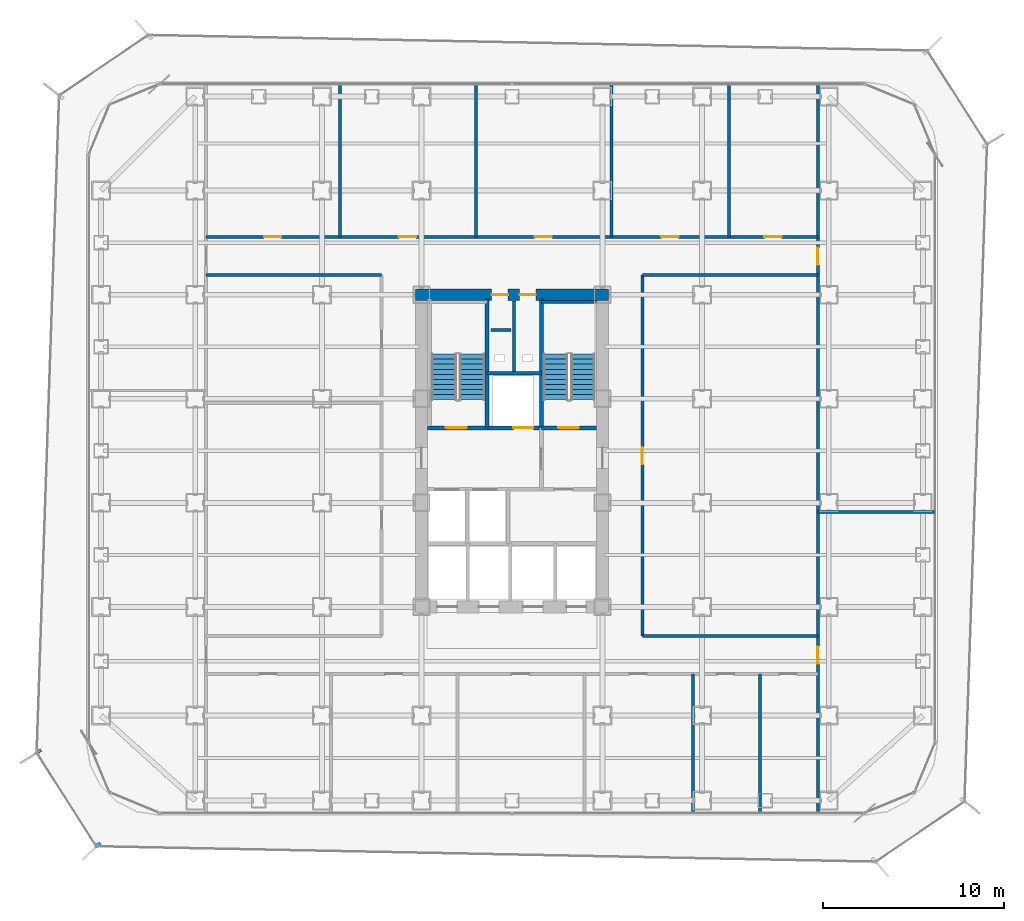
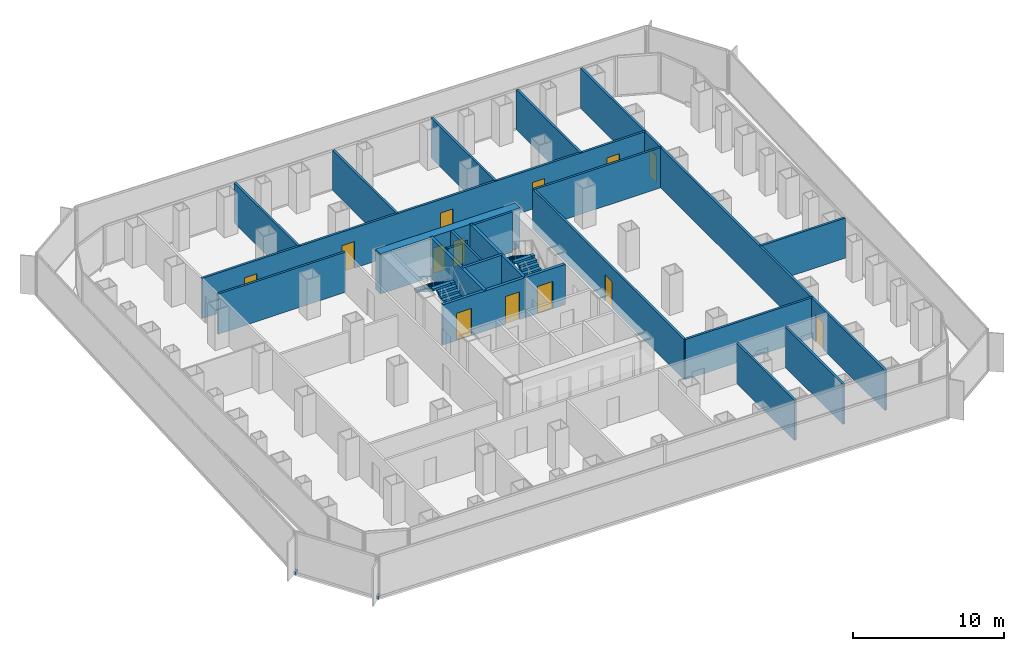
# One storey, part 18 of 22: 22 walls, 13 doors, 4 stair flights, 2 discrete accessories, 13 openings, 2 elements without a shape of their own.
"""IFC4 building model written with IfcOpenShell, lengths in metres."""

from ifc_helpers import new_model, si_unit, direction, frame, frame_2d, origin, origin_2d, place, context, subcontext, project, spatial, polyline, rectangle, outline, extrude, source, transform, mapped, material, layer, layer_set, type_object, element, fill, aggregate, save


model = new_model("IFC4")

# Units and contexts
model_context = context("Model", 3, precision=1e-05, world=origin(), true_north=direction((0.0, 1.0)))
body_context = subcontext(model_context, "Body", "Model", "MODEL_VIEW")
ifc_project = project(units=[si_unit("LENGTHUNIT", "METRE"), si_unit("AREAUNIT", "SQUARE_METRE"), si_unit("VOLUMEUNIT", "CUBIC_METRE"), si_unit("PLANEANGLEUNIT", "RADIAN"), si_unit("MASSUNIT", "GRAM", prefix="KILO")], contexts=[model_context])

# Site, building, storey
site_placement = place(None, origin())
site = spatial("IfcSite", under=ifc_project, at=site_placement, CompositionType="ELEMENT")
building_placement = place(site_placement, origin())
building = spatial("IfcBuilding", under=site, at=building_placement, Name="Kolveth Station Tower", CompositionType="ELEMENT")
storey_placement = place(building_placement, frame((0.0, 0.0, 84.60009765625)))
storey = spatial("IfcBuildingStorey", under=building, at=storey_placement, Name="L22", CompositionType="ELEMENT", Elevation=84.60009765625)

# Wall, openings, doors
ifc_material_1 = material(Name="Concrete C60/75", Category="concrete")
ifc_layer_1 = layer(ifc_material_1, 0.64990234375)
ifc_layer_set_1 = layer_set([ifc_layer_1], Name="Concrete C60/75")
wall_type_1 = type_object("IfcWallType", Name="Wall_CW-650", PredefinedType="SHEAR", material=ifc_layer_set_1)
wall_1_placement = place(storey_placement, frame((18.175048828125, 28.75, 0.0), z_axis=(0.0, 0.0, 1.0), x_axis=(1.0, 0.0, 0.0)))
wall_1 = element("IfcWall", 1, at=wall_1_placement, inside=storey, type_object=wall_type_1, Name="L22 Core RC Shear Wall N", PredefinedType="SHEAR", context=body_context, shape_type="SweptSolid", body=[
    extrude(rectangle(XDim=10.64990234375, YDim=0.64990234375, at=frame_2d((5.324951171875, 0.0))), origin(), (0.0, 0.0, 1.0), 3.239990234375),
])
opening_1_placement = place(wall_1_placement, frame((4.205078125, 0.0, 0.0)))
opening_1 = element("IfcOpeningElement", 2, at=opening_1_placement, cuts=wall_1, Name="Opening RD1", PredefinedType="OPENING", context=body_context, shape_type="SweptSolid", body=[
    extrude(rectangle(XDim=0.89990234375, YDim=2.050048828125, at=frame_2d((0.449951171875, 1.02490234375))), frame((0.0, 0.3349609375, 0.0), z_axis=(0.0, -1.0, 0.0), x_axis=(1.0, 0.0, 0.0)), (0.0, 0.0, 1.0), 0.669921875),
])
opening_2_placement = place(wall_1_placement, frame((5.7451171875, 0.0, 0.0)))
opening_2 = element("IfcOpeningElement", 3, at=opening_2_placement, cuts=wall_1, Name="Opening RD1", PredefinedType="OPENING", context=body_context, shape_type="SweptSolid", body=[
    extrude(rectangle(XDim=0.89990234375, YDim=2.050048828125, at=frame_2d((0.449951171875, 1.02490234375))), frame((0.0, 0.3349609375, 0.0), z_axis=(0.0, -1.0, 0.0), x_axis=(1.0, 0.0, 0.0)), (0.0, 0.0, 1.0), 0.669921875),
])
ifc_material_2 = material(Name="Fire-rated Steel S355 riser access leaf", Category="steel")
door_type_1 = type_object("IfcDoorType", Name="Door_RD1", OperationType="NOTDEFINED", PredefinedType="DOOR", material=ifc_material_2)
door_1_placement = place(opening_1_placement, origin())
door_1 = element("IfcDoor", 4, at=door_1_placement, inside=storey, type_object=door_type_1, Name="L22 Electrical Riser Access Door", OperationType="SINGLE_SWING_RIGHT", OverallHeight=2.050048828125, OverallWidth=0.89990234375, PredefinedType="DOOR", context=body_context, shape_type="SweptSolid", body=[
    extrude(rectangle(XDim=0.89990234375, YDim=2.050048828125, at=frame_2d((0.449951171875, 1.02490234375))), frame((0.0, 0.02490234375, 0.0), z_axis=(0.0, -1.0, 0.0), x_axis=(1.0, 0.0, 0.0)), (0.0, 0.0, 1.0), 0.050048828125),
])
fill(opening_1, door_1)
door_2_placement = place(opening_2_placement, origin())
door_2 = element("IfcDoor", 5, at=door_2_placement, inside=storey, type_object=door_type_1, Name="L22 Smoke Duct Access Door", OperationType="SINGLE_SWING_LEFT", OverallHeight=2.050048828125, OverallWidth=0.89990234375, PredefinedType="DOOR", context=body_context, shape_type="SweptSolid", body=[
    extrude(rectangle(XDim=0.89990234375, YDim=2.050048828125, at=frame_2d((0.449951171875, 1.02490234375))), frame((0.0, 0.02490234375, 0.0), z_axis=(0.0, -1.0, 0.0), x_axis=(1.0, 0.0, 0.0)), (0.0, 0.0, 1.0), 0.050048828125),
])
fill(opening_2, door_2)

# Walls
ifc_material_3 = material(Name="Acoustic double-stud gypsum partition")
ifc_layer_2 = layer(ifc_material_3, 0.1650390625)
ifc_layer_set_2 = layer_set([ifc_layer_2], Name="Acoustic double-stud gypsum partition")
wall_type_2 = type_object("IfcWallType", Name="Wall_IW-165", PredefinedType="PARTITIONING", material=ifc_layer_set_2)
wall_2_placement = place(storey_placement, frame((25.1298828125, 28.3349609375, 0.0), z_axis=(0.0, 0.0, 1.0), x_axis=(1.0, 0.0, 0.0)))
element("IfcWall", 6, at=wall_2_placement, inside=storey, type_object=wall_type_2, Name="L22 Stair Shaft Wall WL-L22-ST2-N", PredefinedType="PARTITIONING", context=body_context, shape_type="SweptSolid", body=[
    extrude(rectangle(XDim=3.03515625, YDim=0.1650390625, at=frame_2d((1.517578125, 0.0))), origin(), (0.0, 0.0, 1.0), 3.239990234375),
])
wall_3_placement = place(storey_placement, frame((23.6201171875, 24.39990234375, 0.0), z_axis=(0.0, 0.0, 1.0), x_axis=(0.0, 1.0, 0.0)))
element("IfcWall", 7, at=wall_3_placement, inside=storey, type_object=wall_type_2, Name="L22 Partition Wall WL-L22-RSR-M", PredefinedType="PARTITIONING", context=body_context, shape_type="SweptSolid", body=[
    extrude(rectangle(XDim=4.01513671875, YDim=0.1650390625, at=frame_2d((2.007568359375, 0.0))), origin(), (0.0, 0.0, 1.0), 3.239990234375),
])

# Wall, openings, doors
wall_4_placement = place(storey_placement, frame((6.60009765625, 31.949951171875, 0.0), z_axis=(0.0, 0.0, 1.0), x_axis=(1.0, 0.0, 0.0)))
wall_4 = element("IfcWall", 8, at=wall_4_placement, inside=storey, type_object=wall_type_2, Name="L22 Partition Wall WL-L22-ON", PredefinedType="PARTITIONING", context=body_context, shape_type="SweptSolid", body=[
    extrude(rectangle(XDim=33.7998046875, YDim=0.1650390625, at=frame_2d((16.89990234375, 0.0))), origin(), (0.0, 0.0, 1.0), 3.239990234375),
])
opening_3_placement = place(wall_4_placement, frame((3.199951171875, 0.0, 0.0)))
opening_3 = element("IfcOpeningElement", 9, at=opening_3_placement, cuts=wall_4, Name="Opening ID1", PredefinedType="OPENING", context=body_context, shape_type="SweptSolid", body=[
    extrude(rectangle(XDim=0.949951171875, YDim=2.14990234375, at=frame_2d((0.47509765625, 1.074951171875))), frame((0.0, 0.092529296875, 0.0), z_axis=(0.0, -1.0, 0.0), x_axis=(1.0, 0.0, 0.0)), (0.0, 0.0, 1.0), 0.18505859375),
])
opening_4_placement = place(wall_4_placement, frame((10.64990234375, 0.0, 0.0)))
opening_4 = element("IfcOpeningElement", 10, at=opening_4_placement, cuts=wall_4, Name="Opening ID1", PredefinedType="OPENING", context=body_context, shape_type="SweptSolid", body=[
    extrude(rectangle(XDim=0.949951171875, YDim=2.14990234375, at=frame_2d((0.47509765625, 1.074951171875))), frame((0.0, 0.092529296875, 0.0), z_axis=(0.0, -1.0, 0.0), x_axis=(1.0, 0.0, 0.0)), (0.0, 0.0, 1.0), 0.18505859375),
])
opening_5_placement = place(wall_4_placement, frame((18.14990234375, 0.0, 0.0)))
opening_5 = element("IfcOpeningElement", 11, at=opening_5_placement, cuts=wall_4, Name="Opening ID1", PredefinedType="OPENING", context=body_context, shape_type="SweptSolid", body=[
    extrude(rectangle(XDim=0.949951171875, YDim=2.14990234375, at=frame_2d((0.47509765625, 1.074951171875))), frame((0.0, 0.092529296875, 0.0), z_axis=(0.0, -1.0, 0.0), x_axis=(1.0, 0.0, 0.0)), (0.0, 0.0, 1.0), 0.18505859375),
])
opening_6_placement = place(wall_4_placement, frame((25.14990234375, 0.0, 0.0)))
opening_6 = element("IfcOpeningElement", 12, at=opening_6_placement, cuts=wall_4, Name="Opening ID1", PredefinedType="OPENING", context=body_context, shape_type="SweptSolid", body=[
    extrude(rectangle(XDim=0.949951171875, YDim=2.14990234375, at=frame_2d((0.47509765625, 1.074951171875))), frame((0.0, 0.092529296875, 0.0), z_axis=(0.0, -1.0, 0.0), x_axis=(1.0, 0.0, 0.0)), (0.0, 0.0, 1.0), 0.18505859375),
])
opening_7_placement = place(wall_4_placement, frame((30.85009765625, 0.0, 0.0)))
opening_7 = element("IfcOpeningElement", 13, at=opening_7_placement, cuts=wall_4, Name="Opening ID1", PredefinedType="OPENING", context=body_context, shape_type="SweptSolid", body=[
    extrude(rectangle(XDim=0.949951171875, YDim=2.14990234375, at=frame_2d((0.47509765625, 1.074951171875))), frame((0.0, 0.092529296875, 0.0), z_axis=(0.0, -1.0, 0.0), x_axis=(1.0, 0.0, 0.0)), (0.0, 0.0, 1.0), 0.18505859375),
])
ifc_material_4 = material(Name="Acoustic hardwood leaf and aluminium frame", Category="wood")
door_type_2 = type_object("IfcDoorType", Name="Door_ID1", OperationType="NOTDEFINED", PredefinedType="DOOR", material=ifc_material_4)
door_3_placement = place(opening_3_placement, origin())
door_3 = element("IfcDoor", 14, at=door_3_placement, inside=storey, type_object=door_type_2, Name="L22 Executive Study 2 Door", OperationType="SINGLE_SWING_RIGHT", OverallHeight=2.14990234375, OverallWidth=0.949951171875, PredefinedType="DOOR", context=body_context, shape_type="SweptSolid", body=[
    extrude(rectangle(XDim=0.949951171875, YDim=2.14990234375, at=frame_2d((0.47509765625, 1.074951171875))), frame((0.0, 0.02490234375, 0.0), z_axis=(0.0, -1.0, 0.0), x_axis=(1.0, 0.0, 0.0)), (0.0, 0.0, 1.0), 0.050048828125),
])
fill(opening_3, door_3)
door_4_placement = place(opening_4_placement, origin())
door_4 = element("IfcDoor", 15, at=door_4_placement, inside=storey, type_object=door_type_2, Name="L22 Focus Booth North Door", OperationType="SINGLE_SWING_LEFT", OverallHeight=2.14990234375, OverallWidth=0.949951171875, PredefinedType="DOOR", context=body_context, shape_type="SweptSolid", body=[
    extrude(rectangle(XDim=0.949951171875, YDim=2.14990234375, at=frame_2d((0.47509765625, 1.074951171875))), frame((0.0, 0.02490234375, 0.0), z_axis=(0.0, -1.0, 0.0), x_axis=(1.0, 0.0, 0.0)), (0.0, 0.0, 1.0), 0.050048828125),
])
fill(opening_4, door_4)
door_5_placement = place(opening_5_placement, origin())
door_5 = element("IfcDoor", 16, at=door_5_placement, inside=storey, type_object=door_type_2, Name="L22 Seminar Room North 1 Door", OperationType="SINGLE_SWING_RIGHT", OverallHeight=2.14990234375, OverallWidth=0.949951171875, PredefinedType="DOOR", context=body_context, shape_type="SweptSolid", body=[
    extrude(rectangle(XDim=0.949951171875, YDim=2.14990234375, at=frame_2d((0.47509765625, 1.074951171875))), frame((0.0, 0.02490234375, 0.0), z_axis=(0.0, -1.0, 0.0), x_axis=(1.0, 0.0, 0.0)), (0.0, 0.0, 1.0), 0.050048828125),
])
fill(opening_5, door_5)
door_6_placement = place(opening_6_placement, origin())
door_6 = element("IfcDoor", 17, at=door_6_placement, inside=storey, type_object=door_type_2, Name="L22 Seminar Room North 2 Door", OperationType="SINGLE_SWING_LEFT", OverallHeight=2.14990234375, OverallWidth=0.949951171875, PredefinedType="DOOR", context=body_context, shape_type="SweptSolid", body=[
    extrude(rectangle(XDim=0.949951171875, YDim=2.14990234375, at=frame_2d((0.47509765625, 1.074951171875))), frame((0.0, 0.02490234375, 0.0), z_axis=(0.0, -1.0, 0.0), x_axis=(1.0, 0.0, 0.0)), (0.0, 0.0, 1.0), 0.050048828125),
])
fill(opening_6, door_6)
door_7_placement = place(opening_7_placement, origin())
door_7 = element("IfcDoor", 18, at=door_7_placement, inside=storey, type_object=door_type_2, Name="L22 Office Pantry Door", OperationType="SINGLE_SWING_LEFT", OverallHeight=2.14990234375, OverallWidth=0.949951171875, PredefinedType="DOOR", context=body_context, shape_type="SweptSolid", body=[
    extrude(rectangle(XDim=0.949951171875, YDim=2.14990234375, at=frame_2d((0.47509765625, 1.074951171875))), frame((0.0, 0.02490234375, 0.0), z_axis=(0.0, -1.0, 0.0), x_axis=(1.0, 0.0, 0.0)), (0.0, 0.0, 1.0), 0.050048828125),
])
fill(opening_7, door_7)

# Walls
for number, where, z_axis, x_axis, name in (
    (19, (30.699951171875, 9.89990234375, 0.0), (0.0, 0.0, 1.0), (1.0, 0.0, 0.0), "L22 Partition Wall WL-L22-OSET"),
    (20, (6.60009765625, 29.85009765625, 0.0), (0.0, 0.0, 1.0), (1.0, 0.0, 0.0), "L22 Partition Wall WL-L22-ONWB"),
    (21, (30.699951171875, 29.85009765625, 0.0), (0.0, 0.0, 1.0), (1.0, 0.0, 0.0), "L22 Partition Wall WL-L22-ONEB"),
):
    element("IfcWall", number, at=place(storey_placement, frame(where, z_axis=z_axis, x_axis=x_axis)), inside=storey, type_object=wall_type_2, Name=name, PredefinedType="PARTITIONING", context=body_context, shape_type="SweptSolid", body=[
        extrude(rectangle(XDim=9.699951171875, YDim=0.1650390625, at=frame_2d((4.85009765625, 0.0))), origin(), (0.0, 0.0, 1.0), 3.239990234375),
    ])

# Wall, opening, door
wall_5_placement = place(storey_placement, frame((30.699951171875, 9.89990234375, 0.0), z_axis=(0.0, 0.0, 1.0), x_axis=(0.0, 1.0, 0.0)))
wall_5 = element("IfcWall", 22, at=wall_5_placement, inside=storey, type_object=wall_type_2, Name="L22 Partition Wall WL-L22-OCE", PredefinedType="PARTITIONING", context=body_context, shape_type="SweptSolid", body=[
    extrude(rectangle(XDim=19.9501953125, YDim=0.1650390625, at=frame_2d((9.97509765625, 0.0))), origin(), (0.0, 0.0, 1.0), 3.239990234375),
])
opening_8_placement = place(wall_5_placement, frame((9.47509765625, 0.0, 0.0)))
opening_8 = element("IfcOpeningElement", 23, at=opening_8_placement, cuts=wall_5, Name="Opening ID1", PredefinedType="OPENING", context=body_context, shape_type="SweptSolid", body=[
    extrude(rectangle(XDim=0.949951171875, YDim=2.14990234375, at=frame_2d((0.47509765625, 1.074951171875))), frame((0.0, 0.092529296875, 0.0), z_axis=(0.0, -1.0, 0.0), x_axis=(1.0, 0.0, 0.0)), (0.0, 0.0, 1.0), 0.18505859375),
])
door_8_placement = place(opening_8_placement, origin())
door_8 = element("IfcDoor", 24, at=door_8_placement, inside=storey, type_object=door_type_2, Name="L22 Internal Meeting Room E1 Door", OperationType="SINGLE_SWING_LEFT", OverallHeight=2.14990234375, OverallWidth=0.949951171875, PredefinedType="DOOR", context=body_context, shape_type="SweptSolid", body=[
    extrude(rectangle(XDim=0.949951171875, YDim=2.14990234375, at=frame_2d((0.47509765625, 1.074951171875))), frame((0.0, 0.02490234375, 0.0), z_axis=(0.0, -1.0, 0.0), x_axis=(1.0, 0.0, 0.0)), (0.0, 0.0, 1.0), 0.050048828125),
])
fill(opening_8, door_8)

# Wall, openings, doors
wall_6_placement = place(storey_placement, frame((40.39990234375, 0.159912109375, 0.0), z_axis=(0.0, 0.0, 1.0), x_axis=(0.0, 1.0, 0.0)))
wall_6 = element("IfcWall", 25, at=wall_6_placement, inside=storey, type_object=wall_type_2, Name="L22 Partition Wall WL-L22-OEEND", PredefinedType="PARTITIONING", context=body_context, shape_type="SweptSolid", body=[
    extrude(rectangle(XDim=40.18017578125, YDim=0.1650390625, at=frame_2d((20.090087890625, 0.0))), origin(), (0.0, 0.0, 1.0), 3.239990234375),
])
opening_9_placement = place(wall_6_placement, frame((8.18994140625, 0.0, 0.0)))
opening_9 = element("IfcOpeningElement", 26, at=opening_9_placement, cuts=wall_6, Name="Opening ID1", PredefinedType="OPENING", context=body_context, shape_type="SweptSolid", body=[
    extrude(rectangle(XDim=0.949951171875, YDim=2.14990234375, at=frame_2d((0.47509765625, 1.074951171875))), frame((0.0, 0.092529296875, 0.0), z_axis=(0.0, -1.0, 0.0), x_axis=(1.0, 0.0, 0.0)), (0.0, 0.0, 1.0), 0.18505859375),
])
opening_10_placement = place(wall_6_placement, frame((30.239990234375, 0.0, 0.0)))
opening_10 = element("IfcOpeningElement", 27, at=opening_10_placement, cuts=wall_6, Name="Opening ID1", PredefinedType="OPENING", context=body_context, shape_type="SweptSolid", body=[
    extrude(rectangle(XDim=0.949951171875, YDim=2.14990234375, at=frame_2d((0.47509765625, 1.074951171875))), frame((0.0, 0.092529296875, 0.0), z_axis=(0.0, -1.0, 0.0), x_axis=(1.0, 0.0, 0.0)), (0.0, 0.0, 1.0), 0.18505859375),
])
door_9_placement = place(opening_9_placement, origin())
door_9 = element("IfcDoor", 28, at=door_9_placement, inside=storey, type_object=door_type_2, Name="L22 East-South Wing Door", OperationType="SINGLE_SWING_LEFT", OverallHeight=2.14990234375, OverallWidth=0.949951171875, PredefinedType="DOOR", context=body_context, shape_type="SweptSolid", body=[
    extrude(rectangle(XDim=0.949951171875, YDim=2.14990234375, at=frame_2d((0.47509765625, 1.074951171875))), frame((0.0, 0.02490234375, 0.0), z_axis=(0.0, -1.0, 0.0), x_axis=(1.0, 0.0, 0.0)), (0.0, 0.0, 1.0), 0.050048828125),
])
fill(opening_9, door_9)
door_10_placement = place(opening_10_placement, origin())
door_10 = element("IfcDoor", 29, at=door_10_placement, inside=storey, type_object=door_type_2, Name="L22 East-North Wing Door", OperationType="SINGLE_SWING_RIGHT", OverallHeight=2.14990234375, OverallWidth=0.949951171875, PredefinedType="DOOR", context=body_context, shape_type="SweptSolid", body=[
    extrude(rectangle(XDim=0.949951171875, YDim=2.14990234375, at=frame_2d((0.47509765625, 1.074951171875))), frame((0.0, 0.02490234375, 0.0), z_axis=(0.0, -1.0, 0.0), x_axis=(1.0, 0.0, 0.0)), (0.0, 0.0, 1.0), 0.050048828125),
])
fill(opening_10, door_10)

# Walls
for number, where, z_axis, x_axis, name in (
    (30, (33.5, 0.159912109375, 0.0), (0.0, 0.0, 1.0), (0.0, 1.0, 0.0), "L22 Partition Wall WL-L22-OS-P4"),
    (31, (37.199951171875, 0.159912109375, 0.0), (0.0, 0.0, 1.0), (0.0, 1.0, 0.0), "L22 Partition Wall WL-L22-OS-P5"),
):
    element("IfcWall", number, at=place(storey_placement, frame(where, z_axis=z_axis, x_axis=x_axis)), inside=storey, type_object=wall_type_2, Name=name, PredefinedType="PARTITIONING", context=body_context, shape_type="SweptSolid", body=[
        extrude(rectangle(XDim=7.64013671875, YDim=0.1650390625, at=frame_2d((3.820068359375, 0.0))), origin(), (0.0, 0.0, 1.0), 3.239990234375),
    ])
for number, where, z_axis, x_axis, name in (
    (32, (14.0, 31.949951171875, 0.0), (0.0, 0.0, 1.0), (0.0, 1.0, 0.0), "L22 Partition Wall WL-L22-ON-P1"),
    (33, (21.5, 31.949951171875, 0.0), (0.0, 0.0, 1.0), (0.0, 1.0, 0.0), "L22 Partition Wall WL-L22-ON-P2"),
    (34, (29.0, 31.949951171875, 0.0), (0.0, 0.0, 1.0), (0.0, 1.0, 0.0), "L22 Partition Wall WL-L22-ON-P3"),
    (35, (35.5, 31.949951171875, 0.0), (0.0, 0.0, 1.0), (0.0, 1.0, 0.0), "L22 Partition Wall WL-L22-ON-P4"),
):
    element("IfcWall", number, at=place(storey_placement, frame(where, z_axis=z_axis, x_axis=x_axis)), inside=storey, type_object=wall_type_2, Name=name, PredefinedType="PARTITIONING", context=body_context, shape_type="SweptSolid", body=[
        extrude(rectangle(XDim=8.39013671875, YDim=0.1650390625, at=frame_2d((4.195068359375, 0.0))), origin(), (0.0, 0.0, 1.0), 3.239990234375),
    ])
wall_7_placement = place(storey_placement, frame((40.39990234375, 16.75, 0.0), z_axis=(0.0, 0.0, 1.0), x_axis=(1.0, 0.0, 0.0)))
element("IfcWall", 36, at=wall_7_placement, inside=storey, type_object=wall_type_2, Name="L22 Partition Wall WL-L22-OEM", PredefinedType="PARTITIONING", context=body_context, shape_type="SweptSolid", body=[
    extrude(rectangle(XDim=6.440185546875, YDim=0.1650390625, at=frame_2d((3.22021484375, 0.0))), origin(), (0.0, 0.0, 1.0), 3.239990234375),
])
wall_8_placement = place(storey_placement, frame((22.35009765625, 26.800048828125, 0.0), z_axis=(0.0, 0.0, 1.0), x_axis=(1.0, 0.0, 0.0)))
element("IfcWall", 37, at=wall_8_placement, inside=storey, type_object=wall_type_2, Name="L22 Acoustic Riser Dry-Lining Wall", PredefinedType="PARTITIONING", context=body_context, shape_type="SweptSolid", body=[
    extrude(rectangle(XDim=1.099853515625, YDim=0.1650390625, at=frame_2d((0.5498046875, 0.0))), origin(), (0.0, 0.0, 1.0), 3.239990234375),
])
ifc_material_5 = material(Name="Acoustic fire-rated gypsum blockwork", Category="masonry")
ifc_layer_3 = layer(ifc_material_5, 0.199951171875)
ifc_layer_set_3 = layer_set([ifc_layer_3], Name="Acoustic fire-rated gypsum blockwork")
wall_type_3 = type_object("IfcWallType", Name="Wall_IW-200", PredefinedType="PARTITIONING", material=ifc_layer_set_3)
wall_9_placement = place(storey_placement, frame((22.110107421875, 24.39990234375, 0.0), z_axis=(0.0, 0.0, 1.0), x_axis=(1.0, 0.0, 0.0)))
element("IfcWall", 38, at=wall_9_placement, inside=storey, type_object=wall_type_3, Name="L22 Partition Wall WL-L22-RSR-S", PredefinedType="PARTITIONING", context=body_context, shape_type="SweptSolid", body=[
    extrude(rectangle(XDim=3.019775390625, YDim=0.199951171875, at=frame_2d((1.509765625, 0.0))), origin(), (0.0, 0.0, 1.0), 3.239990234375),
])
ifc_material_6 = material(Name="Concrete C40/50", Category="concrete")
ifc_layer_4 = layer(ifc_material_6, 0.219970703125)
ifc_layer_set_4 = layer_set([ifc_layer_4], Name="Concrete C40/50")
wall_type_4 = type_object("IfcWallType", Name="Wall_IW-220", PredefinedType="SOLIDWALL", material=ifc_layer_set_4)
for number, where, z_axis, x_axis, name in (
    (39, (22.110107421875, 21.389892578125, 0.0), (0.0, 0.0, 1.0), (0.0, 1.0, 0.0), "L22 Stair Shaft Wall WL-L22-ST1-E"),
    (40, (25.1298828125, 21.389892578125, 0.0), (0.0, 0.0, 1.0), (0.0, 1.0, 0.0), "L22 Stair Shaft Wall WL-L22-ST2-W"),
):
    element("IfcWall", number, at=place(storey_placement, frame(where, z_axis=z_axis, x_axis=x_axis)), inside=storey, type_object=wall_type_4, Name=name, PredefinedType="SOLIDWALL", context=body_context, shape_type="SweptSolid", body=[
        extrude(rectangle(XDim=7.110107421875, YDim=0.219970703125, at=frame_2d((3.55517578125, 0.0))), origin(), (0.0, 0.0, 1.0), 3.239990234375),
    ])

# Wall, openings, doors
wall_10_placement = place(storey_placement, frame((18.8349609375, 21.389892578125, 0.0), z_axis=(0.0, 0.0, 1.0), x_axis=(1.0, 0.0, 0.0)))
wall_10 = element("IfcWall", 41, at=wall_10_placement, inside=storey, type_object=wall_type_4, Name="L22 Stair Shaft Wall WL-L22-ST1-S", PredefinedType="SOLIDWALL", context=body_context, shape_type="SweptSolid", body=[
    extrude(rectangle(XDim=6.294921875, YDim=0.219970703125, at=frame_2d((3.1474609375, 0.0))), origin(), (0.0, 0.0, 1.0), 3.239990234375),
])
opening_11_placement = place(wall_10_placement, frame((1.014892578125, 0.0, 0.0)))
opening_11 = element("IfcOpeningElement", 42, at=opening_11_placement, cuts=wall_10, Name="Opening FD1", PredefinedType="OPENING", context=body_context, shape_type="SweptSolid", body=[
    extrude(rectangle(XDim=1.14990234375, YDim=2.199951171875, at=frame_2d((0.574951171875, 1.10009765625))), frame((0.0, 0.119873046875, 0.0), z_axis=(0.0, -1.0, 0.0), x_axis=(1.0, 0.0, 0.0)), (0.0, 0.0, 1.0), 0.239990234375),
])
opening_12_placement = place(wall_10_placement, frame((4.7451171875, 0.0, 0.0)))
opening_12 = element("IfcOpeningElement", 43, at=opening_12_placement, cuts=wall_10, Name="Opening LD1", PredefinedType="OPENING", context=body_context, shape_type="SweptSolid", body=[
    extrude(rectangle(XDim=1.10009765625, YDim=2.25, at=frame_2d((0.550048828125, 1.125))), frame((0.0, 0.119873046875, 0.0), z_axis=(0.0, -1.0, 0.0), x_axis=(1.0, 0.0, 0.0)), (0.0, 0.0, 1.0), 0.239990234375),
])
ifc_material_7 = material(Name="Fire-rated Steel S355 leaf and frame", Category="steel")
door_type_3 = type_object("IfcDoorType", Name="Door_FD1", OperationType="NOTDEFINED", PredefinedType="DOOR", material=ifc_material_7)
door_11_placement = place(opening_11_placement, frame((1.14990234375, 0.0, 0.0), z_axis=(0.0, 0.0, 1.0), x_axis=(-1.0, 0.0, 0.0)))
door_11 = element("IfcDoor", 44, at=door_11_placement, inside=storey, type_object=door_type_3, Name="L22 Stair ST1 Fire Door", OperationType="SINGLE_SWING_RIGHT", OverallHeight=2.199951171875, OverallWidth=1.14990234375, PredefinedType="DOOR", context=body_context, shape_type="SweptSolid", body=[
    extrude(rectangle(XDim=1.14990234375, YDim=2.199951171875, at=frame_2d((0.574951171875, 1.10009765625))), frame((0.0, 0.02490234375, 0.0), z_axis=(0.0, -1.0, 0.0), x_axis=(1.0, 0.0, 0.0)), (0.0, 0.0, 1.0), 0.050048828125),
])
fill(opening_11, door_11)
ifc_material_8 = material(Name="Brushed stainless steel sliding landing doors", Category="steel")
door_type_4 = type_object("IfcDoorType", Name="Door_LD1", OperationType="NOTDEFINED", PredefinedType="DOOR", material=ifc_material_8)
door_12_placement = place(opening_12_placement, frame((1.10009765625, 0.0, 0.0), z_axis=(0.0, 0.0, 1.0), x_axis=(-1.0, 0.0, 0.0)))
door_12 = element("IfcDoor", 45, at=door_12_placement, inside=storey, type_object=door_type_4, Name="L22 Service Lift SV1 Landing Door", OperationType="DOUBLE_DOOR_SLIDING", OverallHeight=2.25, OverallWidth=1.10009765625, PredefinedType="DOOR", context=body_context, shape_type="SweptSolid", body=[
    extrude(rectangle(XDim=1.10009765625, YDim=2.25, at=frame_2d((0.550048828125, 1.125))), frame((0.0, 0.02490234375, 0.0), z_axis=(0.0, -1.0, 0.0), x_axis=(1.0, 0.0, 0.0)), (0.0, 0.0, 1.0), 0.050048828125),
])
fill(opening_12, door_12)

# Wall, opening, door
wall_11_placement = place(storey_placement, frame((25.1298828125, 21.389892578125, 0.0), z_axis=(0.0, 0.0, 1.0), x_axis=(1.0, 0.0, 0.0)))
wall_11 = element("IfcWall", 46, at=wall_11_placement, inside=storey, type_object=wall_type_4, Name="L22 Stair Shaft Wall WL-L22-ST2-S", PredefinedType="SOLIDWALL", context=body_context, shape_type="SweptSolid", body=[
    extrude(rectangle(XDim=3.03515625, YDim=0.219970703125, at=frame_2d((1.517578125, 0.0))), origin(), (0.0, 0.0, 1.0), 3.239990234375),
])
opening_13_placement = place(wall_11_placement, frame((0.919921875, 0.0, 0.0)))
opening_13 = element("IfcOpeningElement", 47, at=opening_13_placement, cuts=wall_11, Name="Opening FD1", PredefinedType="OPENING", context=body_context, shape_type="SweptSolid", body=[
    extrude(rectangle(XDim=1.14990234375, YDim=2.199951171875, at=frame_2d((0.574951171875, 1.10009765625))), frame((0.0, 0.119873046875, 0.0), z_axis=(0.0, -1.0, 0.0), x_axis=(1.0, 0.0, 0.0)), (0.0, 0.0, 1.0), 0.239990234375),
])
door_13_placement = place(opening_13_placement, frame((1.14990234375, 0.0, 0.0), z_axis=(0.0, 0.0, 1.0), x_axis=(-1.0, 0.0, 0.0)))
door_13 = element("IfcDoor", 48, at=door_13_placement, inside=storey, type_object=door_type_3, Name="L22 Stair ST2 Fire Door", OperationType="SINGLE_SWING_LEFT", OverallHeight=2.199951171875, OverallWidth=1.14990234375, PredefinedType="DOOR", context=body_context, shape_type="SweptSolid", body=[
    extrude(rectangle(XDim=1.14990234375, YDim=2.199951171875, at=frame_2d((0.574951171875, 1.10009765625))), frame((0.0, 0.02490234375, 0.0), z_axis=(0.0, -1.0, 0.0), x_axis=(1.0, 0.0, 0.0)), (0.0, 0.0, 1.0), 0.050048828125),
])
fill(opening_13, door_13)

# Stair, stair flights
stair_type_1 = type_object("IfcStairType", Name="Stair_ST1", PredefinedType="HALF_TURN_STAIR", material=ifc_material_6)
stair_1_placement = place(storey_placement, origin())
stair_1 = element("IfcStair", 49, at=stair_1_placement, inside=storey, type_object=stair_type_1, Name="L22 Tower Exit Stair ST1", PredefinedType="HALF_TURN_STAIR")
ifc_layer_5 = layer(ifc_material_6, 0.179931640625)
ifc_layer_set_5 = layer_set([ifc_layer_5], Name="Concrete C40/50")
stair_flight_type_1 = type_object("IfcStairFlightType", Name="Flight_ST1", PredefinedType="STRAIGHT", material=ifc_layer_set_5)
stair_flight_1_placement = place(storey_placement, frame((21.300048828125, 22.949951171875, 0.0), z_axis=(0.0, 0.0, 1.0), x_axis=(0.0, 1.0, 0.0)))
stair_flight_1 = element("IfcStairFlight", 50, at=stair_flight_1_placement, type_object=stair_flight_type_1, Name="ST1 flight 1", NumberOfRisers=10, NumberOfTreads=9, PredefinedType="STRAIGHT", RiserHeight=0.18, TreadLength=0.28, context=body_context, shape_type="SweptSolid", body=[
    extrude(outline(polyline([(0.0, 0.0), (0.0, 0.179931640625), (0.280029296875, 0.179931640625), (0.280029296875, 0.360107421875), (0.56005859375, 0.360107421875), (0.56005859375, 0.5400390625), (0.840087890625, 0.5400390625), (0.840087890625, 0.719970703125), (1.1201171875, 0.719970703125), (1.1201171875, 0.89990234375), (1.39990234375, 0.89990234375), (1.39990234375, 1.080078125), (1.679931640625, 1.080078125), (1.679931640625, 1.260009765625), (1.9599609375, 1.260009765625), (1.9599609375, 1.43994140625), (2.239990234375, 1.43994140625), (2.239990234375, 1.6201171875), (2.52001953125, 1.6201171875), (2.52001953125, 1.800048828125), (2.52001953125, 1.44189453125), (0.277099609375, 0.0), (0.0, 0.0)])), frame((0.0, 0.699951171875, 0.0), z_axis=(0.0, -1.0, 0.0), x_axis=(1.0, 0.0, 0.0)), (0.0, 0.0, 1.0), 1.39990234375),
])
stair_flight_2_placement = place(storey_placement, frame((19.739990234375, 25.469970703125, 1.7998046875), z_axis=(0.0, 0.0, 1.0), x_axis=(0.0, -1.0, 0.0)))
stair_flight_2 = element("IfcStairFlight", 51, at=stair_flight_2_placement, type_object=stair_flight_type_1, Name="ST1 flight 2", NumberOfRisers=10, NumberOfTreads=9, PredefinedType="STRAIGHT", RiserHeight=0.18, TreadLength=0.28, context=body_context, shape_type="SweptSolid", body=[
    extrude(outline(polyline([(0.0, 0.0), (0.0, 0.179931640625), (0.280029296875, 0.179931640625), (0.280029296875, 0.360107421875), (0.56005859375, 0.360107421875), (0.56005859375, 0.5400390625), (0.840087890625, 0.5400390625), (0.840087890625, 0.719970703125), (1.1201171875, 0.719970703125), (1.1201171875, 0.89990234375), (1.39990234375, 0.89990234375), (1.39990234375, 1.080078125), (1.679931640625, 1.080078125), (1.679931640625, 1.260009765625), (1.9599609375, 1.260009765625), (1.9599609375, 1.43994140625), (2.239990234375, 1.43994140625), (2.239990234375, 1.6201171875), (2.52001953125, 1.6201171875), (2.52001953125, 1.800048828125), (2.52001953125, 1.44189453125), (0.277099609375, 0.0), (0.0, 0.0)])), frame((0.0, 0.699951171875, 0.0), z_axis=(0.0, -1.0, 0.0), x_axis=(1.0, 0.0, 0.0)), (0.0, 0.0, 1.0), 1.39990234375),
])
aggregate(stair_1, [stair_flight_1, stair_flight_2])

stair_type_2 = type_object("IfcStairType", Name="Stair_ST2", PredefinedType="HALF_TURN_STAIR", material=ifc_material_6)
stair_2_placement = place(storey_placement, origin())
stair_2 = element("IfcStair", 52, at=stair_2_placement, inside=storey, type_object=stair_type_2, Name="L22 Tower Exit Stair ST2", PredefinedType="HALF_TURN_STAIR")
ifc_layer_6 = layer(ifc_material_6, 0.179931640625)
ifc_layer_set_6 = layer_set([ifc_layer_6], Name="Concrete C40/50")
stair_flight_type_2 = type_object("IfcStairFlightType", Name="Flight_ST2", PredefinedType="STRAIGHT", material=ifc_layer_set_6)
stair_flight_3_placement = place(storey_placement, frame((27.425048828125, 22.949951171875, 0.0), z_axis=(0.0, 0.0, 1.0), x_axis=(0.0, 1.0, 0.0)))
stair_flight_3 = element("IfcStairFlight", 53, at=stair_flight_3_placement, type_object=stair_flight_type_2, Name="ST2 flight 1", NumberOfRisers=10, NumberOfTreads=9, PredefinedType="STRAIGHT", RiserHeight=0.18, TreadLength=0.28, context=body_context, shape_type="SweptSolid", body=[
    extrude(outline(polyline([(0.0, 0.0), (0.0, 0.179931640625), (0.280029296875, 0.179931640625), (0.280029296875, 0.360107421875), (0.56005859375, 0.360107421875), (0.56005859375, 0.5400390625), (0.840087890625, 0.5400390625), (0.840087890625, 0.719970703125), (1.1201171875, 0.719970703125), (1.1201171875, 0.89990234375), (1.39990234375, 0.89990234375), (1.39990234375, 1.080078125), (1.679931640625, 1.080078125), (1.679931640625, 1.260009765625), (1.9599609375, 1.260009765625), (1.9599609375, 1.43994140625), (2.239990234375, 1.43994140625), (2.239990234375, 1.6201171875), (2.52001953125, 1.6201171875), (2.52001953125, 1.800048828125), (2.52001953125, 1.44189453125), (0.277099609375, 0.0), (0.0, 0.0)])), frame((0.0, 0.675048828125, 0.0), z_axis=(0.0, -1.0, 0.0), x_axis=(1.0, 0.0, 0.0)), (0.0, 0.0, 1.0), 1.35009765625),
])
stair_flight_4_placement = place(storey_placement, frame((25.9150390625, 25.469970703125, 1.7998046875), z_axis=(0.0, 0.0, 1.0), x_axis=(0.0, -1.0, 0.0)))
stair_flight_4 = element("IfcStairFlight", 54, at=stair_flight_4_placement, type_object=stair_flight_type_2, Name="ST2 flight 2", NumberOfRisers=10, NumberOfTreads=9, PredefinedType="STRAIGHT", RiserHeight=0.18, TreadLength=0.28, context=body_context, shape_type="SweptSolid", body=[
    extrude(outline(polyline([(0.0, 0.0), (0.0, 0.179931640625), (0.280029296875, 0.179931640625), (0.280029296875, 0.360107421875), (0.56005859375, 0.360107421875), (0.56005859375, 0.5400390625), (0.840087890625, 0.5400390625), (0.840087890625, 0.719970703125), (1.1201171875, 0.719970703125), (1.1201171875, 0.89990234375), (1.39990234375, 0.89990234375), (1.39990234375, 1.080078125), (1.679931640625, 1.080078125), (1.679931640625, 1.260009765625), (1.9599609375, 1.260009765625), (1.9599609375, 1.43994140625), (2.239990234375, 1.43994140625), (2.239990234375, 1.6201171875), (2.52001953125, 1.6201171875), (2.52001953125, 1.800048828125), (2.52001953125, 1.44189453125), (0.277099609375, 0.0), (0.0, 0.0)])), frame((0.0, 0.675048828125, 0.0), z_axis=(0.0, -1.0, 0.0), x_axis=(1.0, 0.0, 0.0)), (0.0, 0.0, 1.0), 1.35009765625),
])
aggregate(stair_2, [stair_flight_3, stair_flight_4])

# Discrete accessories
ifc_material_9 = material(Name="Steel S355", Category="steel")
discrete_accessory_type = type_object("IfcDiscreteAccessoryType", Name="Bracket_BK1", PredefinedType="BRACKET", material=ifc_material_9)
shared_shape = source(origin(), body_context, "Body", "SweptSolid", [
    extrude(rectangle(XDim=0.35009765625, YDim=0.159912109375, at=origin_2d()), origin(), (0.0, 0.0, 1.0), 0.219970703125),
])
for number, where, z_axis, x_axis, name in (
    (55, (-2.669921875, 3.4990234375, -0.06005859375), (0.0, 0.0, 1.0), (-0.842264279204, -0.539064823539, 0.0), "L22 Double-Skin Radial Tie Bracket 7"),
    (56, (0.616943359375, -1.6640625, -0.06005859375), (0.0, 0.0, 1.0), (-0.722243259262, -0.691639121545, 0.0), "L22 Double-Skin Radial Tie Bracket 8"),
):
    element("IfcDiscreteAccessory", number, at=place(storey_placement, frame(where, z_axis=z_axis, x_axis=x_axis)), inside=storey, type_object=discrete_accessory_type, Name=name, PredefinedType="BRACKET", context=body_context, shape_type="MappedRepresentation", body=[
        mapped(shared_shape, transform((0.0, 0.0, 0.0), x_axis=(1.0, 0.0, 0.0), y_axis=(0.0, 1.0, 0.0), z_axis=(0.0, 0.0, 1.0), scale=1.0)),
    ])

save(model, "model.ifc")
